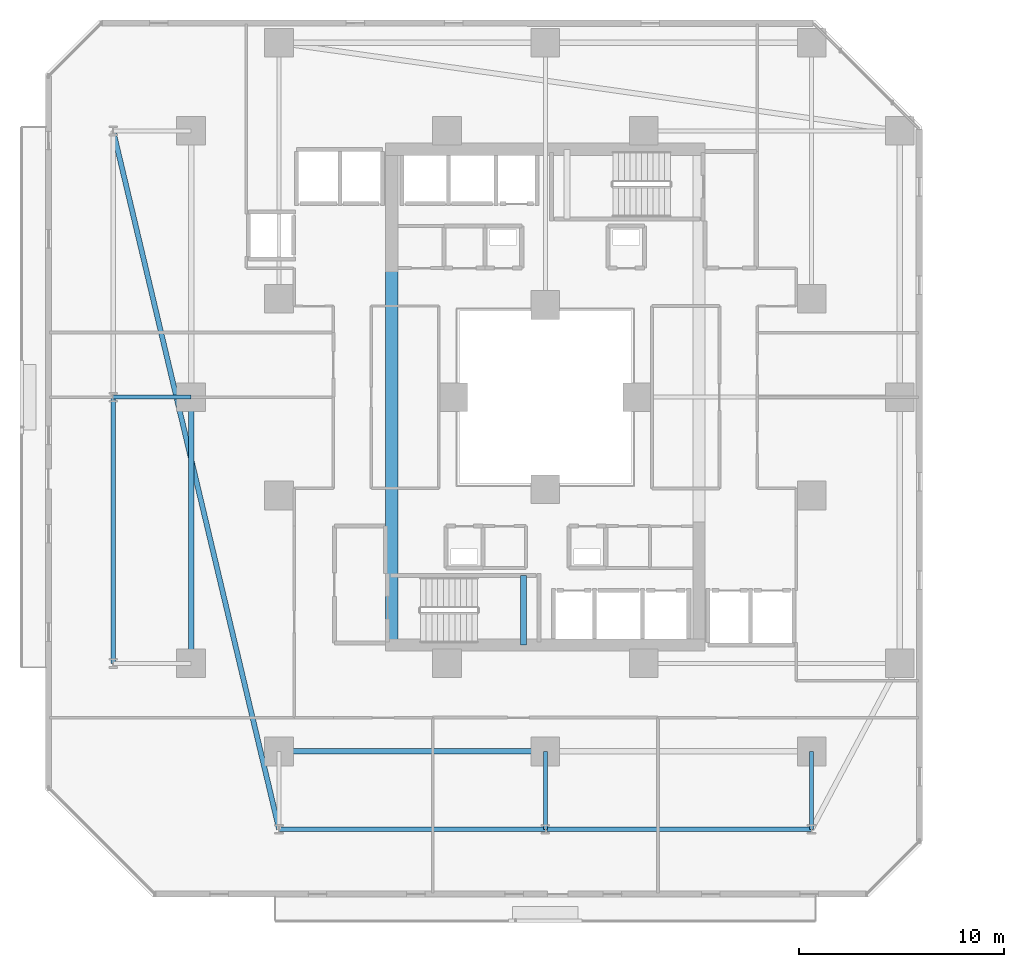
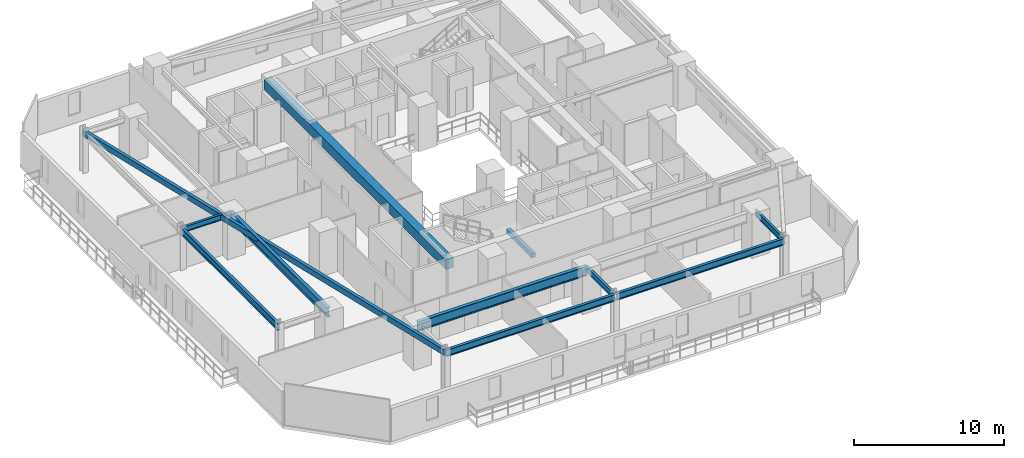
# One storey, part 4 of 33: 11 beams.
"""IFC4 building model written with IfcOpenShell, lengths in metres."""

import ifcopenshell
import ifcopenshell.guid

model = None  # the IFC model being written
_history = None  # IfcOwnerHistory: only IFC2X3 demands one
_inside = {}  # id of a spatial element -> (the spatial element, [elements in it])
_under = {}  # id of a project, library or spatial element -> (it, [spatial elements below it])
_declared = {}  # id of a project -> (the project, [libraries it declares])
_typed = {}  # id of a type object -> (the type object, [elements of that type])
_made_of = {}  # id of a material, layer set ... -> (it, [elements and type objects made of it])


def new_model(schema):
    """Start an empty IFC model of exactly this schema.

    Asked for "IFC4X3", IfcOpenShell would pick the latest addendum, in which some entities
    have other attributes; the version numbers below select the first issue.
    IFC2X3 requires an IfcOwnerHistory on every rooted entity: one is made here for all.
    """
    global model, _history
    if schema == "IFC4X3":
        model = ifcopenshell.file(schema_version=(4, 3, 0, 0))
    else:
        model = ifcopenshell.file(schema=schema)
    _inside.clear()
    _under.clear()
    _declared.clear()
    _typed.clear()
    _made_of.clear()
    _history = None
    if model.schema == "IFC2X3":
        org = make("IfcOrganization", Name="unknown")
        user = make(
            "IfcPersonAndOrganization",
            ThePerson=make("IfcPerson", FamilyName="unknown"),
            TheOrganization=org,
        )
        app = make(
            "IfcApplication",
            ApplicationDeveloper=org,
            Version="unknown",
            ApplicationFullName="unknown",
            ApplicationIdentifier="unknown",
        )
        _history = make(
            "IfcOwnerHistory",
            OwningUser=user,
            OwningApplication=app,
            ChangeAction="ADDED",
            CreationDate=0,
        )
    return model


def make(cls, **values):
    """One entity of the class cls with the attributes given. An attribute that is None is left unset."""
    return model.create_entity(
        cls, **{name: value for name, value in values.items() if value is not None}
    )


def rooted(cls, **values):
    """An entity with a GlobalId (a new one), such as an element, a storey or a relation."""
    return make(cls, GlobalId=ifcopenshell.guid.new(), OwnerHistory=_history, **values)


def si_unit(unit_type, name, prefix=None):
    """IfcSIUnit, for example si_unit("LENGTHUNIT", "METRE", prefix="MILLI")."""
    return make("IfcSIUnit", UnitType=unit_type, Prefix=prefix, Name=name)


def assignment(units):
    """IfcUnitAssignment: the units of a project."""
    return None if units is None else make("IfcUnitAssignment", Units=units)


def point(xyz):
    """IfcCartesianPoint."""
    return None if xyz is None else make("IfcCartesianPoint", Coordinates=xyz)


def direction(xyz):
    """IfcDirection."""
    return None if xyz is None else make("IfcDirection", DirectionRatios=xyz)


def frame(location, z_axis=None, x_axis=None):
    """IfcAxis2Placement3D, a coordinate frame: its origin and axes. An axis left out is left unset."""
    return make(
        "IfcAxis2Placement3D",
        Location=point(location),
        Axis=direction(z_axis),
        RefDirection=direction(x_axis),
    )


def frame_2d(location, x_axis=None):
    """IfcAxis2Placement2D, a coordinate frame in the plane: its origin and x axis."""
    return make(
        "IfcAxis2Placement2D", Location=point(location), RefDirection=direction(x_axis)
    )


def origin():
    """The frame at (0, 0, 0) with its axes left unset."""
    return frame((0.0, 0.0, 0.0))


def origin_2d():
    """The frame at (0, 0) in the plane with its x axis left unset."""
    return frame_2d((0.0, 0.0))


def place(relative_to, where):
    """IfcLocalPlacement: puts the frame where relative to a parent placement (None: the world)."""
    return make(
        "IfcLocalPlacement", PlacementRelTo=relative_to, RelativePlacement=where
    )


def context(
    kind, dimensions, precision=None, world=None, true_north=None, identifier=None
):
    """IfcGeometricRepresentationContext, for example the 3D "Model" context."""
    return make(
        "IfcGeometricRepresentationContext",
        ContextIdentifier=identifier,
        ContextType=kind,
        CoordinateSpaceDimension=dimensions,
        Precision=precision,
        WorldCoordinateSystem=world,
        TrueNorth=true_north,
    )


def subcontext(parent, identifier, kind, view, scale=None):
    """IfcGeometricRepresentationSubContext, for example "Body" below "Model"."""
    return make(
        "IfcGeometricRepresentationSubContext",
        ContextIdentifier=identifier,
        ContextType=kind,
        ParentContext=parent,
        TargetScale=scale,
        TargetView=view,
    )


def project(units=None, contexts=None):
    """IfcProject with its units and contexts."""
    return rooted(
        "IfcProject",
        Name="project",
        RepresentationContexts=contexts,
        UnitsInContext=assignment(units),
    )


def spatial(cls, under=None, at=None, **own):
    """A site, building, storey or space (cls), placed at a placement, below another one or the project."""
    s = rooted(cls, ObjectPlacement=at, **own)
    if under is not None:
        _under.setdefault(under.id(), (under, []))[1].append(s)
    return s


def profile(cls, at=None, kind="AREA", **sizes):
    """A parametric profile (cls). Its sizes go by their IFC names, for example OverallWidth=200.0."""
    return make(cls, ProfileType=kind, Position=at, **sizes)


def rectangle(**sizes):
    """IfcRectangleProfileDef."""
    return profile("IfcRectangleProfileDef", **sizes)


def hollow_rectangle(**sizes):
    """IfcRectangleHollowProfileDef."""
    return profile("IfcRectangleHollowProfileDef", **sizes)


def i_section(**sizes):
    """IfcIShapeProfileDef."""
    return profile("IfcIShapeProfileDef", **sizes)


def extrude(swept, where, along, depth):
    """IfcExtrudedAreaSolid: the profile swept, set in the frame where, extruded along a direction by depth."""
    return make(
        "IfcExtrudedAreaSolid",
        SweptArea=swept,
        Position=where,
        ExtrudedDirection=direction(along),
        Depth=depth,
    )


def shape(context_of_items, identifier, shape_type, items):
    """IfcShapeRepresentation: the items that make up one representation, for example the "Body"."""
    return make(
        "IfcShapeRepresentation",
        ContextOfItems=context_of_items,
        RepresentationIdentifier=identifier,
        RepresentationType=shape_type,
        Items=items,
    )


def material(Name=None, Category=None):
    """IfcMaterial."""
    return make("IfcMaterial", Name=Name, Category=Category)


def material_profile(
    of_material, cross_section, Name=None, Category=None, Priority=None
):
    """IfcMaterialProfile: a cross section and its material."""
    return make(
        "IfcMaterialProfile",
        Name=Name,
        Material=of_material,
        Profile=cross_section,
        Priority=Priority,
        Category=Category,
    )


def profile_set(profiles, Name=None, composite=None):
    """IfcMaterialProfileSet."""
    return make(
        "IfcMaterialProfileSet",
        Name=Name,
        MaterialProfiles=profiles,
        CompositeProfile=composite,
    )


def made_of(thing, what):
    """Note that an element or type object is made of a material, layer set ...; save() writes the relation."""
    if what is not None:
        _made_of.setdefault(what.id(), (what, []))[1].append(thing)
    return thing


def type_object(cls, material=None, **own):
    """A type object (cls), such as IfcWallType, which elements share."""
    return made_of(rooted(cls, **own), material)


def element(
    cls,
    number,
    at=None,
    inside=None,
    cuts=None,
    type_object=None,
    material=None,
    context=None,
    identifier="Body",
    shape_type=None,
    held_by="IfcProductDefinitionShape",
    body=None,
    shapes=None,
    **own,
):
    """One element of the class cls, such as IfcWall. Its Tag is "e" and its number.

    at: its placement. inside: the storey or other place that contains it. cuts: it is an
    opening in that element (IfcRelVoidsElement). A single representation is given by context,
    identifier, shape_type and body (its items); several are given by shapes. held_by: the class
    of the entity that holds the representations. save() writes the other relations.
    """
    e = rooted(cls, Tag="e%d" % number, ObjectPlacement=at, **own)
    if body is not None:
        shapes = [shape(context, identifier, shape_type, body)]
    if shapes is not None:
        e.Representation = make(held_by, Representations=shapes)
    if inside is not None:
        _inside.setdefault(inside.id(), (inside, []))[1].append(e)
    if cuts is not None:
        rooted(
            "IfcRelVoidsElement", RelatingBuildingElement=cuts, RelatedOpeningElement=e
        )
    if type_object is not None:
        _typed.setdefault(type_object.id(), (type_object, []))[1].append(e)
    return made_of(e, material)


def aggregate(whole, parts):
    """IfcRelAggregates: a whole, such as a stair, and the parts it consists of."""
    return rooted("IfcRelAggregates", RelatingObject=whole, RelatedObjects=parts)


def save(model, path):
    """Write the relations noted so far, then the file.

    IfcRelAggregates (storeys below a building ...), IfcRelContainedInSpatialStructure (elements
    in a storey), IfcRelDefinesByType, IfcRelAssociatesMaterial and IfcRelDeclares: one each for
    every whole, place, type object, material and project.
    """
    for whole, parts in _under.values():
        aggregate(whole, parts)
    for where, things in _inside.values():
        rooted(
            "IfcRelContainedInSpatialStructure",
            RelatedElements=things,
            RelatingStructure=where,
        )
    for kind, things in _typed.values():
        rooted("IfcRelDefinesByType", RelatedObjects=things, RelatingType=kind)
    for what, things in _made_of.values():
        rooted("IfcRelAssociatesMaterial", RelatedObjects=things, RelatingMaterial=what)
    for by, libraries in _declared.values():
        rooted("IfcRelDeclares", RelatingContext=by, RelatedDefinitions=libraries)
    model.write(path)


model = new_model("IFC4")

# Units and contexts
model_context = context("Model", 3, precision=1e-05, world=origin(), true_north=direction((0.0, 1.0)))
body_context = subcontext(model_context, "Body", "Model", "MODEL_VIEW")
ifc_project = project(units=[si_unit("LENGTHUNIT", "METRE"), si_unit("AREAUNIT", "SQUARE_METRE"), si_unit("VOLUMEUNIT", "CUBIC_METRE"), si_unit("PLANEANGLEUNIT", "RADIAN"), si_unit("MASSUNIT", "GRAM", prefix="KILO")], contexts=[model_context])

# Site, building, storey
site_placement = place(None, origin())
site = spatial("IfcSite", under=ifc_project, at=site_placement, CompositionType="ELEMENT")
building_placement = place(site_placement, origin())
building = spatial("IfcBuilding", under=site, at=building_placement, Name="Thornwick Lancets Civic Towers", CompositionType="ELEMENT")
storey_placement = place(building_placement, frame((0.0, 0.0, 38.699951171875)))
storey = spatial("IfcBuildingStorey", under=building, at=storey_placement, Name="L09", CompositionType="ELEMENT", Elevation=38.699951171875)

# Beams
ifc_material_1 = material(Name="Concrete C60/75", Category="concrete")
ifc_material_profile_1 = material_profile(ifc_material_1, rectangle(XDim=0.60009765625, YDim=0.800048828125, at=origin_2d()), Name="RC 600x800")
ifc_profile_set_1 = profile_set([ifc_material_profile_1], Name="Concrete C60/75")
beam_type_1 = type_object("IfcBeamType", Name="BM_COUP_RC800", PredefinedType="BEAM", material=ifc_profile_set_1)
beam_1_placement = place(storey_placement, frame((18.0, 14.89990234375, 2.9599609375), z_axis=(0.0, 1.0, 0.0), x_axis=(-1.0, 0.0, 0.0)))
element("IfcBeam", 1, at=beam_1_placement, inside=storey, type_object=beam_type_1, Name="CB-L09-A2", PredefinedType="BEAM", context=body_context, shape_type="SweptSolid", body=[
    extrude(rectangle(XDim=0.60009765625, YDim=0.800048828125, at=origin_2d()), origin(), (0.0, 0.0, 1.0), 24.2001953125),
])
ifc_material_2 = material(Name="Steel S355JR", Category="steel")
ifc_material_profile_2 = material_profile(ifc_material_2, i_section(OverallWidth=0.2119140625, OverallDepth=0.54443359375, WebThickness=0.0126953125, FlangeThickness=0.021240234375, FilletRadius=0.0126953125, at=origin_2d()), Name="UKB 533x210x122")
ifc_profile_set_2 = profile_set([ifc_material_profile_2], Name="Steel S355JR")
beam_type_2 = type_object("IfcBeamType", Name="BM_EDGE_533_122", PredefinedType="SPANDREL", material=ifc_profile_set_2)
beam_2_placement = place(storey_placement, frame((12.5, 5.89990234375, 3.087890625), z_axis=(1.0, 0.0, 0.0), x_axis=(0.0, 1.0, 0.0)))
element("IfcBeam", 2, at=beam_2_placement, inside=storey, type_object=beam_type_2, Name="BM-EDGE-L09-A-S0-1", PredefinedType="SPANDREL", context=body_context, shape_type="SweptSolid", body=[
    extrude(i_section(OverallWidth=0.2119140625, OverallDepth=0.54443359375, WebThickness=0.0126953125, FlangeThickness=0.021240234375, FilletRadius=0.0126953125, at=origin_2d()), origin(), (0.0, 0.0, 1.0), 13.0),
])
beam_3_placement = place(storey_placement, frame((25.580078125, 5.89990234375, 3.087890625), z_axis=(1.0, 0.0, 0.0), x_axis=(0.0, 1.0, 0.0)))
element("IfcBeam", 3, at=beam_3_placement, inside=storey, type_object=beam_type_2, Name="BM-EDGE-L09-A-S0-2", PredefinedType="SPANDREL", context=body_context, shape_type="SweptSolid", body=[
    extrude(i_section(OverallWidth=0.2119140625, OverallDepth=0.54443359375, WebThickness=0.0126953125, FlangeThickness=0.021240234375, FilletRadius=0.0126953125, at=origin_2d()), origin(), (0.0, 0.0, 1.0), 12.919921875),
])
beam_4_placement = place(storey_placement, frame((4.39990234375, 14.0, 3.087890625), z_axis=(0.0, 1.0, 0.0), x_axis=(-1.0, 0.0, 0.0)))
element("IfcBeam", 4, at=beam_4_placement, inside=storey, type_object=beam_type_2, Name="BM-EDGE-L09-A-S3-1", PredefinedType="SPANDREL", context=body_context, shape_type="SweptSolid", body=[
    extrude(i_section(OverallWidth=0.2119140625, OverallDepth=0.54443359375, WebThickness=0.0126953125, FlangeThickness=0.021240234375, FilletRadius=0.0126953125, at=origin_2d()), origin(), (0.0, 0.0, 1.0), 13.0),
])
ifc_material_profile_3 = material_profile(ifc_material_2, i_section(OverallWidth=0.26806640625, OverallDepth=0.769775390625, WebThickness=0.015625, FlangeThickness=0.025390625, FilletRadius=0.0166015625, at=origin_2d()), Name="UKB 762x267x197")
ifc_profile_set_3 = profile_set([ifc_material_profile_3], Name="Steel S355JR")
beam_type_3 = type_object("IfcBeamType", Name="BM_GIRD_762_197", PredefinedType="BEAM", material=ifc_profile_set_3)
for number, where, z_axis, x_axis, name in (
    (5, (12.5, 9.699951171875, 2.97509765625), (1.0, 0.0, 0.0), (0.0, 1.0, 0.0), "BM-SPINE-L09-A-0-1"),
    (6, (8.199951171875, 14.0, 2.97509765625), (0.0, 1.0, 0.0), (-1.0, 0.0, 0.0), "BM-SPINE-L09-A-9-10"),
):
    element("IfcBeam", number, at=place(storey_placement, frame(where, z_axis=z_axis, x_axis=x_axis)), inside=storey, type_object=beam_type_3, Name=name, PredefinedType="BEAM", context=body_context, shape_type="SweptSolid", body=[
        extrude(i_section(OverallWidth=0.26806640625, OverallDepth=0.769775390625, WebThickness=0.015625, FlangeThickness=0.025390625, FilletRadius=0.0166015625, at=origin_2d()), origin(), (0.0, 0.0, 1.0), 13.0),
    ])
ifc_material_profile_4 = material_profile(ifc_material_2, i_section(OverallWidth=0.19189453125, OverallDepth=0.46337890625, WebThickness=0.010498046875, FlangeThickness=0.017578125, FilletRadius=0.01025390625, at=origin_2d()), Name="UKB 457x191x89")
ifc_profile_set_4 = profile_set([ifc_material_profile_4], Name="Steel S355JR")
beam_type_4 = type_object("IfcBeamType", Name="BM_JOIST_457_89", PredefinedType="JOIST", material=ifc_profile_set_4)
for number, where, z_axis, x_axis, name in (
    (7, (25.5, 9.699951171875, 3.12841796875), (0.0, -1.0, 0.0), (1.0, 0.0, 0.0), "BM-RAD-L09-A02"),
    (8, (38.5, 9.699951171875, 3.12841796875), (0.0, -1.0, 0.0), (1.0, 0.0, 0.0), "BM-RAD-L09-A03"),
    (9, (8.199951171875, 27.0, 3.12841796875), (-1.0, 0.0, 0.0), (0.0, -1.0, 0.0), "BM-RAD-L09-A11"),
):
    element("IfcBeam", number, at=place(storey_placement, frame(where, z_axis=z_axis, x_axis=x_axis)), inside=storey, type_object=beam_type_4, Name=name, PredefinedType="JOIST", context=body_context, shape_type="SweptSolid", body=[
        extrude(i_section(OverallWidth=0.19189453125, OverallDepth=0.46337890625, WebThickness=0.010498046875, FlangeThickness=0.017578125, FilletRadius=0.01025390625, at=origin_2d()), origin(), (0.0, 0.0, 1.0), 3.800048828125),
    ])
ifc_material_profile_5 = material_profile(ifc_material_2, hollow_rectangle(XDim=0.25, YDim=0.449951171875, WallThickness=0.01611328125, at=origin_2d()), Name="RHS 450x250x16")
ifc_profile_set_5 = profile_set([ifc_material_profile_5], Name="Steel S355JR")
beam_type_5 = type_object("IfcBeamType", Name="BM_RING_RHS450", PredefinedType="BEAM", material=ifc_profile_set_5)
beam_5_placement = place(storey_placement, frame((4.39990234375, 40.0, 3.135009765625), z_axis=(0.231108201875, -0.972928054394, 0.0), x_axis=(0.972928054394, 0.231108201875, 0.0)))
element("IfcBeam", 10, at=beam_5_placement, inside=storey, type_object=beam_type_5, Name="BM-CHAMF-L09-A-C3", PredefinedType="BEAM", context=body_context, shape_type="SweptSolid", body=[
    extrude(hollow_rectangle(XDim=0.25, YDim=0.449951171875, WallThickness=0.01611328125, at=origin_2d()), origin(), (0.0, 0.0, 1.0), 35.048828125),
])
ifc_material_3 = material(Name="Concrete C40/50", Category="concrete")
ifc_material_profile_6 = material_profile(ifc_material_3, rectangle(XDim=0.300048828125, YDim=0.35009765625, at=origin_2d()), Name="RC 300x350")
ifc_profile_set_6 = profile_set([ifc_material_profile_6], Name="Concrete C40/50")
beam_type_6 = type_object("IfcBeamType", Name="BM_STAIR_LDG", PredefinedType="BEAM", material=ifc_profile_set_6)
beam_6_placement = place(storey_placement, frame((24.43505859375, 14.89990234375, 1.3779296875), z_axis=(0.0, 1.0, 0.0), x_axis=(-1.0, 0.0, 0.0)))
element("IfcBeam", 11, at=beam_6_placement, inside=storey, type_object=beam_type_6, Name="L09 ST-A1 Landing Support Beam 1", PredefinedType="BEAM", context=body_context, shape_type="SweptSolid", body=[
    extrude(rectangle(XDim=0.300048828125, YDim=0.35009765625, at=origin_2d()), origin(), (0.0, 0.0, 1.0), 3.400146484375),
])

save(model, "model.ifc")
